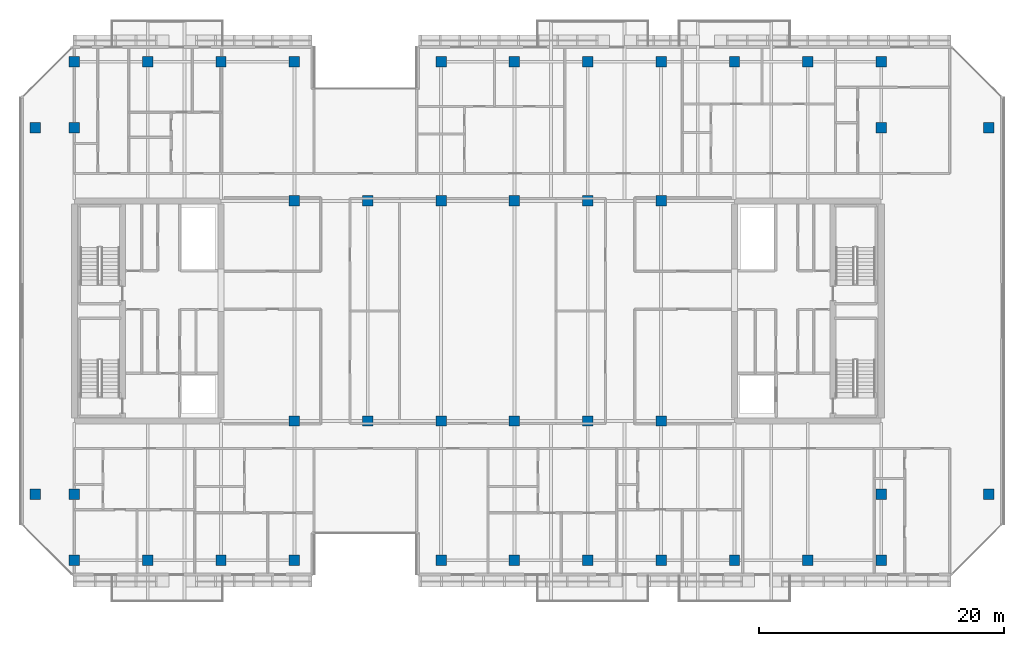
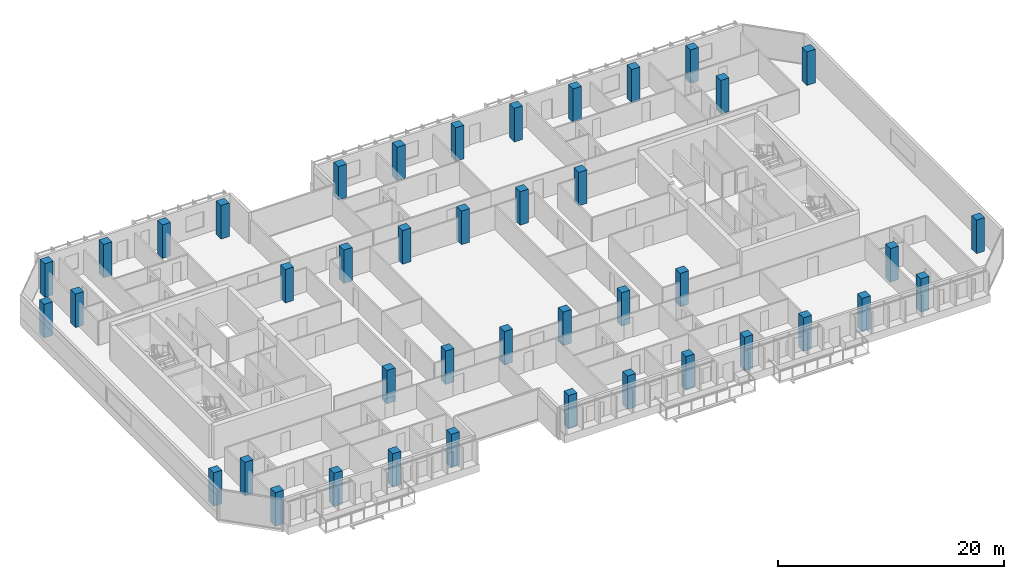
# One storey, part 1 of 31: 42 columns.
"""IFC4 building model written with IfcOpenShell, lengths in metres."""

from ifc_helpers import new_model, si_unit, direction, frame, origin, origin_2d, place, context, subcontext, project, spatial, rectangle, extrude, material, material_profile, profile_set, type_object, element, save


model = new_model("IFC4")

# Units and contexts
model_context = context("Model", 3, precision=1e-05, world=origin(), true_north=direction((0.0, 1.0)))
body_context = subcontext(model_context, "Body", "Model", "MODEL_VIEW")
ifc_project = project(units=[si_unit("LENGTHUNIT", "METRE"), si_unit("AREAUNIT", "SQUARE_METRE"), si_unit("VOLUMEUNIT", "CUBIC_METRE"), si_unit("PLANEANGLEUNIT", "RADIAN"), si_unit("MASSUNIT", "GRAM", prefix="KILO")], contexts=[model_context])

# Site, building, storey
site_placement = place(None, origin())
site = spatial("IfcSite", under=ifc_project, at=site_placement, CompositionType="ELEMENT")
building_placement = place(site_placement, origin())
building = spatial("IfcBuilding", under=site, at=building_placement, Name="Tanjung Sevakor Pilgrim Tower", CompositionType="ELEMENT")
storey_placement = place(building_placement, frame((0.0, 0.0, 169.2900390625)))
storey = spatial("IfcBuildingStorey", under=building, at=storey_placement, Name="L47", CompositionType="ELEMENT", Elevation=169.2900390625)

# Columns
ifc_material = material(Name="Concrete C60/75", Category="concrete")
ifc_material_profile = material_profile(ifc_material, rectangle(XDim=0.85009765625, YDim=0.85009765625, at=origin_2d()))
ifc_profile_set = profile_set([ifc_material_profile], Name="Concrete C60/75")
column_type = type_object("IfcColumnType", Name="COL-C-T850-RC_850x850", PredefinedType="COLUMN", material=ifc_profile_set)
for number, where, z_axis, x_axis, name in (
    (1, (42.0, 24.60009765625, 0.0), (0.0, 0.0, 1.0), (1.0, 0.0, 0.0), "L47 Column SPW-042-246"),
    (2, (42.0, 42.60009765625, 0.0), (0.0, 0.0, 1.0), (1.0, 0.0, 0.0), "L47 Column SPW-042-426"),
    (3, (48.0, 24.60009765625, 0.0), (0.0, 0.0, 1.0), (1.0, 0.0, 0.0), "L47 Column SPW-048-246"),
    (4, (48.0, 42.60009765625, 0.0), (0.0, 0.0, 1.0), (1.0, 0.0, 0.0), "L47 Column SPW-048-426"),
    (5, (54.0, 24.60009765625, 0.0), (0.0, 0.0, 1.0), (1.0, 0.0, 0.0), "L47 Column SPE-054-246"),
    (6, (54.0, 42.60009765625, 0.0), (0.0, 0.0, 1.0), (1.0, 0.0, 0.0), "L47 Column SPE-054-426"),
    (7, (60.0, 24.60009765625, 0.0), (0.0, 0.0, 1.0), (1.0, 0.0, 0.0), "L47 Column SPE-060-246"),
    (8, (60.0, 42.60009765625, 0.0), (0.0, 0.0, 1.0), (1.0, 0.0, 0.0), "L47 Column SPE-060-426"),
    (9, (66.0, 24.60009765625, 0.0), (0.0, 0.0, 1.0), (1.0, 0.0, 0.0), "L47 Column SPE-066-246"),
    (10, (66.0, 42.60009765625, 0.0), (0.0, 0.0, 1.0), (1.0, 0.0, 0.0), "L47 Column SPE-066-426"),
    (11, (72.0, 24.60009765625, 0.0), (0.0, 0.0, 1.0), (1.0, 0.0, 0.0), "L47 Column SPE-072-246"),
    (12, (72.0, 42.60009765625, 0.0), (0.0, 0.0, 1.0), (1.0, 0.0, 0.0), "L47 Column SPE-072-426"),
    (13, (20.800048828125, 18.60009765625, 0.0), (0.0, 0.0, 1.0), (1.0, 0.0, 0.0), "L47 Column TCE-0208-186"),
    (14, (20.800048828125, 48.60009765625, 0.0), (0.0, 0.0, 1.0), (1.0, 0.0, 0.0), "L47 Column TCE-0208-486"),
    (15, (24.0, 18.60009765625, 0.0), (0.0, 0.0, 1.0), (1.0, 0.0, 0.0), "L47 Column TCE-0240-186"),
    (16, (24.0, 48.60009765625, 0.0), (0.0, 0.0, 1.0), (1.0, 0.0, 0.0), "L47 Column TCE-0240-486"),
    (17, (90.0, 18.60009765625, 0.0), (0.0, 0.0, 1.0), (1.0, 0.0, 0.0), "L47 Column TCE-0900-186"),
    (18, (90.0, 48.60009765625, 0.0), (0.0, 0.0, 1.0), (1.0, 0.0, 0.0), "L47 Column TCE-0900-486"),
    (19, (98.800048828125, 18.60009765625, 0.0), (0.0, 0.0, 1.0), (1.0, 0.0, 0.0), "L47 Column TCE-0988-186"),
    (20, (98.800048828125, 48.60009765625, 0.0), (0.0, 0.0, 1.0), (1.0, 0.0, 0.0), "L47 Column TCE-0988-486"),
    (21, (24.0, 13.199951171875, 0.0), (0.0, 0.0, 1.0), (1.0, 0.0, 0.0), "L47 Column TC3-024-132"),
    (22, (24.0, 54.0, 0.0), (0.0, 0.0, 1.0), (1.0, 0.0, 0.0), "L47 Column TC3-024-540"),
    (23, (30.0, 13.199951171875, 0.0), (0.0, 0.0, 1.0), (1.0, 0.0, 0.0), "L47 Column TC3-030-132"),
    (24, (30.0, 54.0, 0.0), (0.0, 0.0, 1.0), (1.0, 0.0, 0.0), "L47 Column TC3-030-540"),
    (25, (36.0, 13.199951171875, 0.0), (0.0, 0.0, 1.0), (1.0, 0.0, 0.0), "L47 Column TC3-036-132"),
    (26, (36.0, 54.0, 0.0), (0.0, 0.0, 1.0), (1.0, 0.0, 0.0), "L47 Column TC3-036-540"),
    (27, (42.0, 13.199951171875, 0.0), (0.0, 0.0, 1.0), (1.0, 0.0, 0.0), "L47 Column TC3-042-132"),
    (28, (42.0, 54.0, 0.0), (0.0, 0.0, 1.0), (1.0, 0.0, 0.0), "L47 Column TC3-042-540"),
    (29, (54.0, 13.199951171875, 0.0), (0.0, 0.0, 1.0), (1.0, 0.0, 0.0), "L47 Column TC3-054-132"),
    (30, (54.0, 54.0, 0.0), (0.0, 0.0, 1.0), (1.0, 0.0, 0.0), "L47 Column TC3-054-540"),
    (31, (60.0, 13.199951171875, 0.0), (0.0, 0.0, 1.0), (1.0, 0.0, 0.0), "L47 Column TC3-060-132"),
    (32, (60.0, 54.0, 0.0), (0.0, 0.0, 1.0), (1.0, 0.0, 0.0), "L47 Column TC3-060-540"),
    (33, (66.0, 13.199951171875, 0.0), (0.0, 0.0, 1.0), (1.0, 0.0, 0.0), "L47 Column TC3-066-132"),
    (34, (66.0, 54.0, 0.0), (0.0, 0.0, 1.0), (1.0, 0.0, 0.0), "L47 Column TC3-066-540"),
    (35, (72.0, 13.199951171875, 0.0), (0.0, 0.0, 1.0), (1.0, 0.0, 0.0), "L47 Column TC3-072-132"),
    (36, (72.0, 54.0, 0.0), (0.0, 0.0, 1.0), (1.0, 0.0, 0.0), "L47 Column TC3-072-540"),
    (37, (78.0, 13.199951171875, 0.0), (0.0, 0.0, 1.0), (1.0, 0.0, 0.0), "L47 Column TC3-078-132"),
    (38, (78.0, 54.0, 0.0), (0.0, 0.0, 1.0), (1.0, 0.0, 0.0), "L47 Column TC3-078-540"),
    (39, (84.0, 13.199951171875, 0.0), (0.0, 0.0, 1.0), (1.0, 0.0, 0.0), "L47 Column TC3-084-132"),
    (40, (84.0, 54.0, 0.0), (0.0, 0.0, 1.0), (1.0, 0.0, 0.0), "L47 Column TC3-084-540"),
    (41, (90.0, 13.199951171875, 0.0), (0.0, 0.0, 1.0), (1.0, 0.0, 0.0), "L47 Column TC3-090-132"),
    (42, (90.0, 54.0, 0.0), (0.0, 0.0, 1.0), (1.0, 0.0, 0.0), "L47 Column TC3-090-540"),
):
    element("IfcColumn", number, at=place(storey_placement, frame(where, z_axis=z_axis, x_axis=x_axis)), inside=storey, type_object=column_type, Name=name, PredefinedType="COLUMN", context=body_context, shape_type="SweptSolid", body=[
        extrude(rectangle(XDim=0.85009765625, YDim=0.85009765625, at=origin_2d()), origin(), (0.0, 0.0, 1.0), 3.6298828125),
    ])

save(model, "model.ifc")
